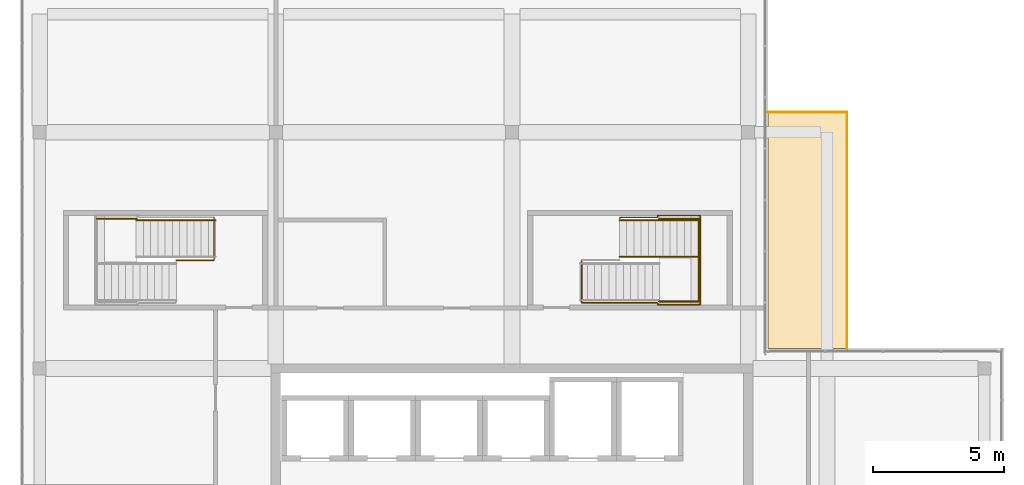
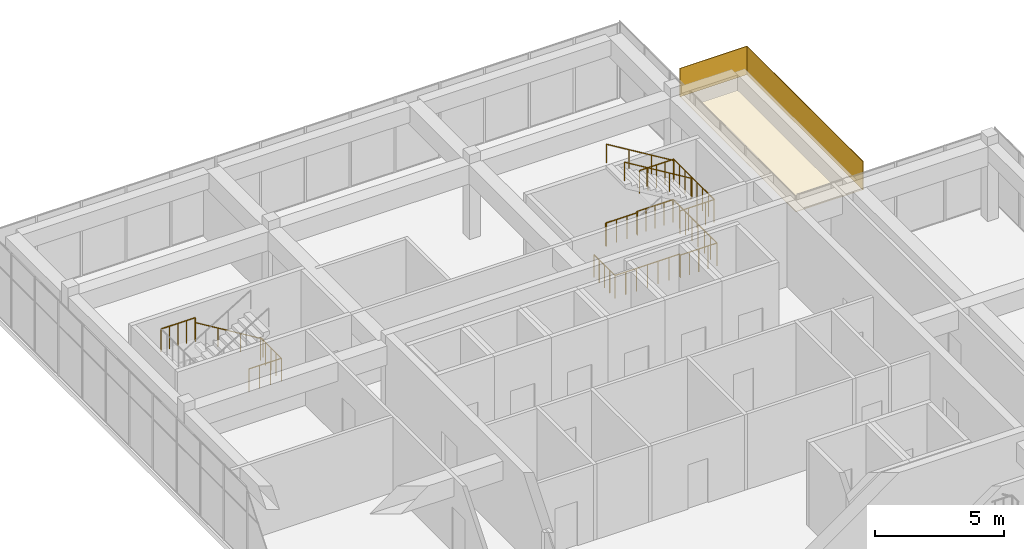
# One storey, part 36 of 36: 9 railings, 2 coverings.
"""IFC4 building model written with IfcOpenShell, lengths in metres."""

from ifc_helpers import new_model, si_unit, direction, frame, origin, origin_2d, place, context, subcontext, project, spatial, polyline, circle, outline, extrude, material, layer, layer_set, type_object, element, save


model = new_model("IFC4")

# Units and contexts
model_context = context("Model", 3, precision=1e-05, world=origin(), true_north=direction((0.0, 1.0)))
body_context = subcontext(model_context, "Body", "Model", "MODEL_VIEW")
ifc_project = project(units=[si_unit("LENGTHUNIT", "METRE"), si_unit("AREAUNIT", "SQUARE_METRE"), si_unit("VOLUMEUNIT", "CUBIC_METRE"), si_unit("PLANEANGLEUNIT", "RADIAN"), si_unit("MASSUNIT", "GRAM", prefix="KILO")], contexts=[model_context])

# Site, building, storey
site_placement = place(None, origin())
site = spatial("IfcSite", under=ifc_project, at=site_placement, CompositionType="ELEMENT")
building_placement = place(site_placement, origin())
building = spatial("IfcBuilding", under=site, at=building_placement, Name="Tuart Plaza Theatre", CompositionType="ELEMENT")
storey_placement = place(building_placement, frame((0.0, 0.0, 61.5)))
storey = spatial("IfcBuildingStorey", under=building, at=storey_placement, Name="L15", CompositionType="ELEMENT", Elevation=61.5)

# Coverings
ifc_material_1 = material(Name="Zinc")
ifc_layer_1 = layer(ifc_material_1, 0.02490234375)
ifc_layer_set_1 = layer_set([ifc_layer_1], Name="COVERING-ZINC-FASCIA25")
covering_type_1 = type_object("IfcCoveringType", Name="COVERING-ZINC-FASCIA25", PredefinedType="CLADDING", material=ifc_layer_set_1)
covering_1_placement = place(storey_placement, frame((0.0, 0.0, 2.655029296875)))
element("IfcCovering", 1, at=covering_1_placement, inside=storey, type_object=covering_type_1, Name="CL95", PredefinedType="CLADDING", context=body_context, shape_type="SweptSolid", body=[
    extrude(outline(polyline([(144.77490234375, 92.77490234375), (144.77490234375, 83.750244140625), (144.75, 83.750244140625), (144.75, 92.75), (141.750244140625, 92.75), (141.750244140625, 92.77490234375), (144.77490234375, 92.77490234375)])), origin(), (0.0, 0.0, 1.0), 1.344970703125),
])
ifc_material_2 = material(Name="Zinc")
ifc_layer_2 = layer(ifc_material_2, 0.02490234375)
ifc_layer_set_2 = layer_set([ifc_layer_2], Name="COVERING-ZINC-SOFFIT25")
covering_type_2 = type_object("IfcCoveringType", Name="COVERING-ZINC-SOFFIT25", PredefinedType="CLADDING", material=ifc_layer_set_2)
covering_2_placement = place(storey_placement, frame((0.0, 0.0, 2.655029296875)))
element("IfcCovering", 2, at=covering_2_placement, inside=storey, type_object=covering_type_2, Name="CL94", PredefinedType="CLADDING", context=body_context, shape_type="SweptSolid", body=[
    extrude(outline(polyline([(144.75, 92.75), (144.75, 83.75), (141.75, 83.75), (141.75, 92.75), (144.75, 92.75)])), origin(), (0.0, 0.0, 1.0), 0.02490234375),
])

# Railings
ifc_material_3 = material(Name="Steel Grade C350L0", Category="steel")
railing_type_1 = type_object("IfcRailingType", Name="RAILING Guard 1100", PredefinedType="GUARDRAIL", material=ifc_material_3)
railing_1_placement = place(storey_placement, frame((136.114990234375, 88.705078125, 0.0)))
element("IfcRailing", 3, at=railing_1_placement, inside=storey, type_object=railing_type_1, Name="GR349", PredefinedType="GUARDRAIL", context=body_context, shape_type="SweptSolid", body=[
    extrude(circle(Radius=0.02490234375, at=origin_2d()), frame((0.0, 0.0, 1.0751953125), z_axis=(0.0, 1.0, 0.0), x_axis=(-1.0, 0.0, 0.0)), (0.0, 0.0, 1.0), 0.044921875),
    extrude(circle(Radius=0.02490234375, at=origin_2d()), frame((0.0, 0.044921875, 1.0751953125), z_axis=(1.0, 0.0, 0.0), x_axis=(0.0, 1.0, 0.0)), (0.0, 0.0, 1.0), 1.43505859375),
    extrude(circle(Radius=0.02490234375, at=origin_2d()), frame((1.43505859375, 0.044921875, 1.0751953125), z_axis=(0.0, 1.0, 0.0), x_axis=(-1.0, 0.0, 0.0)), (0.0, 0.0, 1.0), 0.074951171875),
    extrude(circle(Radius=0.02490234375, at=origin_2d()), frame((1.43505859375, 0.119873046875, 1.0751953125), z_axis=(1.0, 0.0, 0.0), x_axis=(0.0, 1.0, 0.0)), (0.0, 0.0, 1.0), 1.6298828125),
    extrude(circle(Radius=0.02490234375, at=origin_2d()), frame((3.06494140625, 0.119873046875, 1.0751953125), z_axis=(0.0, -1.0, 0.0), x_axis=(1.0, 0.0, 0.0)), (0.0, 0.0, 1.0), 3.39990234375),
    extrude(circle(Radius=0.02490234375, at=origin_2d()), frame((3.06494140625, -3.280029296875, 1.0751953125), z_axis=(-1.0, 0.0, 0.0), x_axis=(0.0, -1.0, 0.0)), (0.0, 0.0, 1.0), 1.6298828125),
    extrude(circle(Radius=0.02490234375, at=origin_2d()), frame((1.43505859375, -3.280029296875, 1.0751953125), z_axis=(0.0, 1.0, 0.0), x_axis=(-1.0, 0.0, 0.0)), (0.0, 0.0, 1.0), 0.074951171875),
    extrude(circle(Radius=0.02490234375, at=origin_2d()), frame((1.43505859375, -3.205078125, 1.0751953125), z_axis=(-1.0, 0.0, 0.0), x_axis=(0.0, -1.0, 0.0)), (0.0, 0.0, 1.0), 2.89501953125),
    extrude(circle(Radius=0.02490234375, at=origin_2d()), frame((-1.4599609375, -3.205078125, 1.0751953125), z_axis=(0.0, 1.0, 0.0), x_axis=(-1.0, 0.0, 0.0)), (0.0, 0.0, 1.0), 1.625),
    extrude(circle(Radius=0.02001953125, at=origin_2d()), origin(), (0.0, 0.0, 1.0), 1.050048828125),
    extrude(circle(Radius=0.02001953125, at=origin_2d()), frame((0.0, 0.044921875, 0.0)), (0.0, 0.0, 1.0), 1.050048828125),
    extrude(circle(Radius=0.02001953125, at=origin_2d()), frame((0.478271484375, 0.044921875, 0.0)), (0.0, 0.0, 1.0), 1.050048828125),
    extrude(circle(Radius=0.02001953125, at=origin_2d()), frame((0.956787109375, 0.044921875, 0.0)), (0.0, 0.0, 1.0), 1.050048828125),
    extrude(circle(Radius=0.02001953125, at=origin_2d()), frame((1.43505859375, 0.044921875, 0.0)), (0.0, 0.0, 1.0), 1.050048828125),
    extrude(circle(Radius=0.02001953125, at=origin_2d()), frame((1.43505859375, 0.119873046875, 0.0)), (0.0, 0.0, 1.0), 1.050048828125),
    extrude(circle(Radius=0.02001953125, at=origin_2d()), frame((1.842529296875, 0.119873046875, 0.0)), (0.0, 0.0, 1.0), 1.050048828125),
    extrude(circle(Radius=0.02001953125, at=origin_2d()), frame((2.25, 0.119873046875, 0.0)), (0.0, 0.0, 1.0), 1.050048828125),
    extrude(circle(Radius=0.02001953125, at=origin_2d()), frame((2.657470703125, 0.119873046875, 0.0)), (0.0, 0.0, 1.0), 1.050048828125),
    extrude(circle(Radius=0.02001953125, at=origin_2d()), frame((3.06494140625, 0.119873046875, 0.0)), (0.0, 0.0, 1.0), 1.050048828125),
    extrude(circle(Radius=0.02001953125, at=origin_2d()), frame((3.06494140625, -0.36572265625, 0.0)), (0.0, 0.0, 1.0), 1.050048828125),
    extrude(circle(Radius=0.02001953125, at=origin_2d()), frame((3.06494140625, -0.8515625, 0.0)), (0.0, 0.0, 1.0), 1.050048828125),
    extrude(circle(Radius=0.02001953125, at=origin_2d()), frame((3.06494140625, -1.337158203125, 0.0)), (0.0, 0.0, 1.0), 1.050048828125),
    extrude(circle(Radius=0.02001953125, at=origin_2d()), frame((3.06494140625, -1.822998046875, 0.0)), (0.0, 0.0, 1.0), 1.050048828125),
    extrude(circle(Radius=0.02001953125, at=origin_2d()), frame((3.06494140625, -2.30859375, 0.0)), (0.0, 0.0, 1.0), 1.050048828125),
    extrude(circle(Radius=0.02001953125, at=origin_2d()), frame((3.06494140625, -2.79443359375, 0.0)), (0.0, 0.0, 1.0), 1.050048828125),
    extrude(circle(Radius=0.02001953125, at=origin_2d()), frame((3.06494140625, -3.280029296875, 0.0)), (0.0, 0.0, 1.0), 1.050048828125),
    extrude(circle(Radius=0.02001953125, at=origin_2d()), frame((2.657470703125, -3.280029296875, 0.0)), (0.0, 0.0, 1.0), 1.050048828125),
    extrude(circle(Radius=0.02001953125, at=origin_2d()), frame((2.25, -3.280029296875, 0.0)), (0.0, 0.0, 1.0), 1.050048828125),
    extrude(circle(Radius=0.02001953125, at=origin_2d()), frame((1.842529296875, -3.280029296875, 0.0)), (0.0, 0.0, 1.0), 1.050048828125),
    extrude(circle(Radius=0.02001953125, at=origin_2d()), frame((1.43505859375, -3.280029296875, 0.0)), (0.0, 0.0, 1.0), 1.050048828125),
    extrude(circle(Radius=0.02001953125, at=origin_2d()), frame((1.43505859375, -3.205078125, 0.0)), (0.0, 0.0, 1.0), 1.050048828125),
    extrude(circle(Radius=0.02001953125, at=origin_2d()), frame((0.95263671875, -3.205078125, 0.0)), (0.0, 0.0, 1.0), 1.050048828125),
    extrude(circle(Radius=0.02001953125, at=origin_2d()), frame((0.469970703125, -3.205078125, 0.0)), (0.0, 0.0, 1.0), 1.050048828125),
    extrude(circle(Radius=0.02001953125, at=origin_2d()), frame((-0.012451171875, -3.205078125, 0.0)), (0.0, 0.0, 1.0), 1.050048828125),
    extrude(circle(Radius=0.02001953125, at=origin_2d()), frame((-0.494873046875, -3.205078125, 0.0)), (0.0, 0.0, 1.0), 1.050048828125),
    extrude(circle(Radius=0.02001953125, at=origin_2d()), frame((-0.9775390625, -3.205078125, 0.0)), (0.0, 0.0, 1.0), 1.050048828125),
    extrude(circle(Radius=0.02001953125, at=origin_2d()), frame((-1.4599609375, -3.205078125, 0.0)), (0.0, 0.0, 1.0), 1.050048828125),
    extrude(circle(Radius=0.02001953125, at=origin_2d()), frame((-1.4599609375, -2.798828125, 0.0)), (0.0, 0.0, 1.0), 1.050048828125),
    extrude(circle(Radius=0.02001953125, at=origin_2d()), frame((-1.4599609375, -2.392578125, 0.0)), (0.0, 0.0, 1.0), 1.050048828125),
    extrude(circle(Radius=0.02001953125, at=origin_2d()), frame((-1.4599609375, -1.986328125, 0.0)), (0.0, 0.0, 1.0), 1.050048828125),
    extrude(circle(Radius=0.02001953125, at=origin_2d()), frame((-1.4599609375, -1.580078125, 0.0)), (0.0, 0.0, 1.0), 1.050048828125),
])
railing_2_placement = place(storey_placement, frame((137.60009765625, 85.550048828125, 2.0)))
element("IfcRailing", 4, at=railing_2_placement, inside=storey, type_object=railing_type_1, Name="GR355", PredefinedType="GUARDRAIL", context=body_context, shape_type="SweptSolid", body=[
    extrude(circle(Radius=0.02490234375, at=origin_2d()), frame((0.0, 0.0, 1.0751953125), z_axis=(1.0, 0.0, 0.0), x_axis=(0.0, 1.0, 0.0)), (0.0, 0.0, 1.0), 1.52978515625),
    extrude(circle(Radius=0.02001953125, at=origin_2d()), origin(), (0.0, 0.0, 1.0), 1.050048828125),
    extrude(circle(Radius=0.02001953125, at=origin_2d()), frame((0.38232421875, 0.0, 0.0)), (0.0, 0.0, 1.0), 1.050048828125),
    extrude(circle(Radius=0.02001953125, at=origin_2d()), frame((0.764892578125, 0.0, 0.0)), (0.0, 0.0, 1.0), 1.050048828125),
    extrude(circle(Radius=0.02001953125, at=origin_2d()), frame((1.1474609375, 0.0, 0.0)), (0.0, 0.0, 1.0), 1.050048828125),
    extrude(circle(Radius=0.02001953125, at=origin_2d()), frame((1.52978515625, 0.0, 0.0)), (0.0, 0.0, 1.0), 1.050048828125),
])
railing_3_placement = place(storey_placement, frame((139.1298828125, 85.550048828125, 2.0)))
element("IfcRailing", 5, at=railing_3_placement, inside=storey, type_object=railing_type_1, Name="GR356", PredefinedType="GUARDRAIL", context=body_context, shape_type="SweptSolid", body=[
    extrude(circle(Radius=0.02490234375, at=origin_2d()), frame((0.0, 0.0, 1.0751953125), z_axis=(0.0, 1.0, 0.0), x_axis=(-1.0, 0.0, 0.0)), (0.0, 0.0, 1.0), 3.14990234375),
    extrude(circle(Radius=0.02001953125, at=origin_2d()), origin(), (0.0, 0.0, 1.0), 1.050048828125),
    extrude(circle(Radius=0.02001953125, at=origin_2d()), frame((0.0, 0.449951171875, 0.0)), (0.0, 0.0, 1.0), 1.050048828125),
    extrude(circle(Radius=0.02001953125, at=origin_2d()), frame((0.0, 0.89990234375, 0.0)), (0.0, 0.0, 1.0), 1.050048828125),
    extrude(circle(Radius=0.02001953125, at=origin_2d()), frame((0.0, 1.349853515625, 0.0)), (0.0, 0.0, 1.0), 1.050048828125),
    extrude(circle(Radius=0.02001953125, at=origin_2d()), frame((0.0, 1.800048828125, 0.0)), (0.0, 0.0, 1.0), 1.050048828125),
    extrude(circle(Radius=0.02001953125, at=origin_2d()), frame((0.0, 2.25, 0.0)), (0.0, 0.0, 1.0), 1.050048828125),
    extrude(circle(Radius=0.02001953125, at=origin_2d()), frame((0.0, 2.699951171875, 0.0)), (0.0, 0.0, 1.0), 1.050048828125),
    extrude(circle(Radius=0.02001953125, at=origin_2d()), frame((0.0, 3.14990234375, 0.0)), (0.0, 0.0, 1.0), 1.050048828125),
])
railing_4_placement = place(storey_placement, frame((139.1298828125, 88.699951171875, 2.0)))
element("IfcRailing", 6, at=railing_4_placement, inside=storey, type_object=railing_type_1, Name="GR357", PredefinedType="GUARDRAIL", context=body_context, shape_type="SweptSolid", body=[
    extrude(circle(Radius=0.02490234375, at=origin_2d()), frame((0.0, 0.0, 1.0751953125), z_axis=(-1.0, 0.0, 0.0), x_axis=(0.0, -1.0, 0.0)), (0.0, 0.0, 1.0), 1.52978515625),
    extrude(circle(Radius=0.02001953125, at=origin_2d()), origin(), (0.0, 0.0, 1.0), 1.050048828125),
    extrude(circle(Radius=0.02001953125, at=origin_2d()), frame((-0.38232421875, 0.0, 0.0)), (0.0, 0.0, 1.0), 1.050048828125),
    extrude(circle(Radius=0.02001953125, at=origin_2d()), frame((-0.764892578125, 0.0, 0.0)), (0.0, 0.0, 1.0), 1.050048828125),
    extrude(circle(Radius=0.02001953125, at=origin_2d()), frame((-1.1474609375, 0.0, 0.0)), (0.0, 0.0, 1.0), 1.050048828125),
    extrude(circle(Radius=0.02001953125, at=origin_2d()), frame((-1.52978515625, 0.0, 0.0)), (0.0, 0.0, 1.0), 1.050048828125),
])
railing_5_placement = place(storey_placement, frame((120.64501953125, 88.75, 0.0)))
element("IfcRailing", 7, at=railing_5_placement, inside=storey, type_object=railing_type_1, Name="GR427", PredefinedType="GUARDRAIL", context=body_context, shape_type="SweptSolid", body=[
    extrude(circle(Radius=0.02490234375, at=origin_2d()), frame((0.0, 0.0, 1.0751953125), z_axis=(0.0, -1.0, 0.0), x_axis=(1.0, 0.0, 0.0)), (0.0, 0.0, 1.0), 1.625),
    extrude(circle(Radius=0.02490234375, at=origin_2d()), frame((0.0, -1.625, 1.0751953125), z_axis=(-1.0, 0.0, 0.0), x_axis=(0.0, -1.0, 0.0)), (0.0, 0.0, 1.0), 1.455078125),
    extrude(circle(Radius=0.02001953125, at=origin_2d()), origin(), (0.0, 0.0, 1.0), 1.050048828125),
    extrude(circle(Radius=0.02001953125, at=origin_2d()), frame((0.0, -0.40625, 0.0)), (0.0, 0.0, 1.0), 1.050048828125),
    extrude(circle(Radius=0.02001953125, at=origin_2d()), frame((0.0, -0.8125, 0.0)), (0.0, 0.0, 1.0), 1.050048828125),
    extrude(circle(Radius=0.02001953125, at=origin_2d()), frame((0.0, -1.21875, 0.0)), (0.0, 0.0, 1.0), 1.050048828125),
    extrude(circle(Radius=0.02001953125, at=origin_2d()), frame((0.0, -1.625, 0.0)), (0.0, 0.0, 1.0), 1.050048828125),
    extrude(circle(Radius=0.02001953125, at=origin_2d()), frame((-0.485107421875, -1.625, 0.0)), (0.0, 0.0, 1.0), 1.050048828125),
    extrude(circle(Radius=0.02001953125, at=origin_2d()), frame((-0.969970703125, -1.625, 0.0)), (0.0, 0.0, 1.0), 1.050048828125),
    extrude(circle(Radius=0.02001953125, at=origin_2d()), frame((-1.455078125, -1.625, 0.0)), (0.0, 0.0, 1.0), 1.050048828125),
])
railing_6_placement = place(storey_placement, frame((117.699951171875, 88.699951171875, 2.0)))
element("IfcRailing", 8, at=railing_6_placement, inside=storey, type_object=railing_type_1, Name="GR434", PredefinedType="GUARDRAIL", context=body_context, shape_type="SweptSolid", body=[
    extrude(circle(Radius=0.02490234375, at=origin_2d()), frame((0.0, 0.0, 1.0751953125), z_axis=(-1.0, 0.0, 0.0), x_axis=(0.0, -1.0, 0.0)), (0.0, 0.0, 1.0), 1.530029296875),
    extrude(circle(Radius=0.02001953125, at=origin_2d()), origin(), (0.0, 0.0, 1.0), 1.050048828125),
    extrude(circle(Radius=0.02001953125, at=origin_2d()), frame((-0.382568359375, 0.0, 0.0)), (0.0, 0.0, 1.0), 1.050048828125),
    extrude(circle(Radius=0.02001953125, at=origin_2d()), frame((-0.76513671875, 0.0, 0.0)), (0.0, 0.0, 1.0), 1.050048828125),
    extrude(circle(Radius=0.02001953125, at=origin_2d()), frame((-1.1474609375, 0.0, 0.0)), (0.0, 0.0, 1.0), 1.050048828125),
    extrude(circle(Radius=0.02001953125, at=origin_2d()), frame((-1.530029296875, 0.0, 0.0)), (0.0, 0.0, 1.0), 1.050048828125),
])
ifc_material_4 = material(Name="Steel Grade C350L0", Category="steel")
railing_type_2 = type_object("IfcRailingType", Name="RAILING Handrail 900", PredefinedType="HANDRAIL", material=ifc_material_4)
for number, where, name in (
    (9, (139.1201171875, 87.25, 2.166748046875), "HR241"),
    (10, (139.1201171875, 88.64990234375, 2.166748046875), "HR242"),
    (11, (120.705078125, 88.64990234375, 0.166748046875), "HR304"),
):
    element("IfcRailing", number, at=place(storey_placement, frame(where)), inside=storey, type_object=railing_type_2, Name=name, PredefinedType="HANDRAIL", context=body_context, shape_type="SweptSolid", body=[
        extrude(circle(Radius=0.0224609375, at=origin_2d()), frame((0.0, 0.0, 0.87744140625), z_axis=(-0.855219153138, 0.0, 0.518266533848), x_axis=(0.0, -1.0, 0.0)), (0.0, 0.0, 1.0), 3.537353515625),
        extrude(circle(Radius=0.01513671875, at=origin_2d()), origin(), (0.0, 0.0, 1.0), 0.85498046875),
        extrude(circle(Radius=0.01513671875, at=origin_2d()), frame((-1.00830078125, 0.0, 0.611083984375)), (0.0, 0.0, 1.0), 0.85498046875),
        extrude(circle(Radius=0.01513671875, at=origin_2d()), frame((-2.016845703125, 0.0, 1.22216796875)), (0.0, 0.0, 1.0), 0.85498046875),
        extrude(circle(Radius=0.01513671875, at=origin_2d()), frame((-3.025146484375, 0.0, 1.833251953125)), (0.0, 0.0, 1.0), 0.85498046875),
    ])

save(model, "model.ifc")
